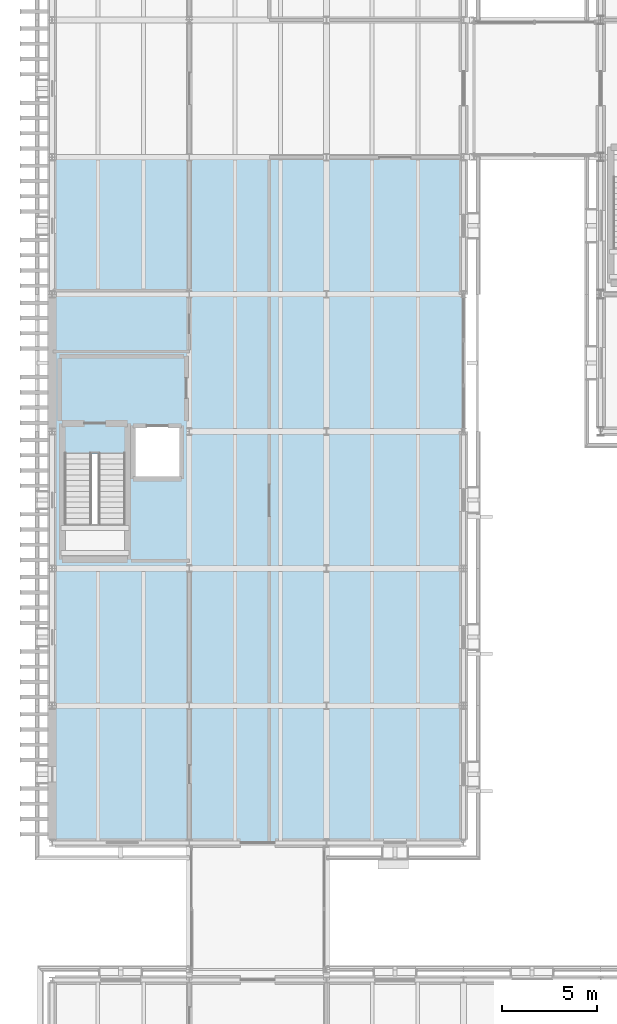
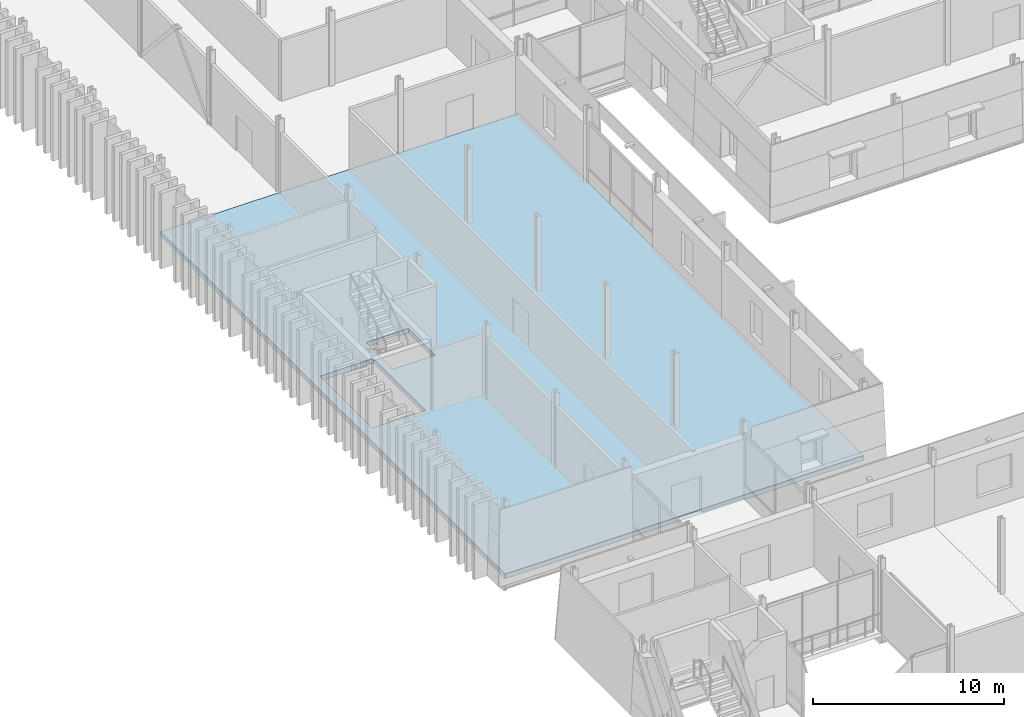
# One storey, part 54 of 121: 1 slab.
"""IFC4 building model written with IfcOpenShell, lengths in metres."""

from ifc_helpers import new_model, si_unit, direction, frame, origin, place, context, subcontext, project, spatial, polyline, outline, extrude, material, layer, layer_set, type_object, element, save


model = new_model("IFC4")

# Units and contexts
model_context = context("Model", 3, precision=1e-05, world=origin(), true_north=direction((0.0, 1.0)))
body_context = subcontext(model_context, "Body", "Model", "MODEL_VIEW")
ifc_project = project(units=[si_unit("LENGTHUNIT", "METRE"), si_unit("AREAUNIT", "SQUARE_METRE"), si_unit("VOLUMEUNIT", "CUBIC_METRE"), si_unit("PLANEANGLEUNIT", "RADIAN"), si_unit("MASSUNIT", "GRAM", prefix="KILO")], contexts=[model_context])

# Site, building, storey
site_placement = place(None, origin())
site = spatial("IfcSite", under=ifc_project, at=site_placement, CompositionType="ELEMENT")
building_placement = place(site_placement, origin())
building = spatial("IfcBuilding", under=site, at=building_placement, Name="Narikvali Park Central Library", CompositionType="ELEMENT")
storey_placement = place(building_placement, frame((0.0, 0.0, 5.39990234375)))
storey = spatial("IfcBuildingStorey", under=building, at=storey_placement, Name="L01", CompositionType="ELEMENT", Elevation=5.39990234375)

# Slab
ifc_material = material(Name="Concrete C40/50", Category="concrete")
ifc_layer = layer(ifc_material, 0.300048828125, Name="Concrete C40/50")
ifc_layer_set = layer_set([ifc_layer], Name="Concrete C40/50")
slab_type = type_object("IfcSlabType", Name="Heavy Stack Composite Slab 300", PredefinedType="FLOOR", material=ifc_layer_set)
slab_placement = place(storey_placement, frame((0.0, 0.0, -0.2998046875)))
element("IfcSlab", 1, at=slab_placement, inside=storey, type_object=slab_type, Name="V5 L01 Structural Slab Panel 1", PredefinedType="FLOOR", context=body_context, shape_type="SweptSolid", body=[
    extrude(outline(polyline([(0.0, 28.800048828125), (21.60009765625, 28.800048828125), (21.60009765625, 64.800048828125), (0.0, 64.800048828125), (0.0, 28.800048828125)]), holes=[polyline([(0.64990234375, 43.800048828125), (3.85009765625, 43.800048828125), (3.85009765625, 49.25), (0.64990234375, 49.25), (0.64990234375, 43.800048828125)]), polyline([(4.25, 47.89990234375), (6.800048828125, 47.89990234375), (6.800048828125, 50.699951171875), (4.25, 50.699951171875), (4.25, 47.89990234375)])]), origin(), (0.0, 0.0, 1.0), 0.2998046875),
])

save(model, "model.ifc")
